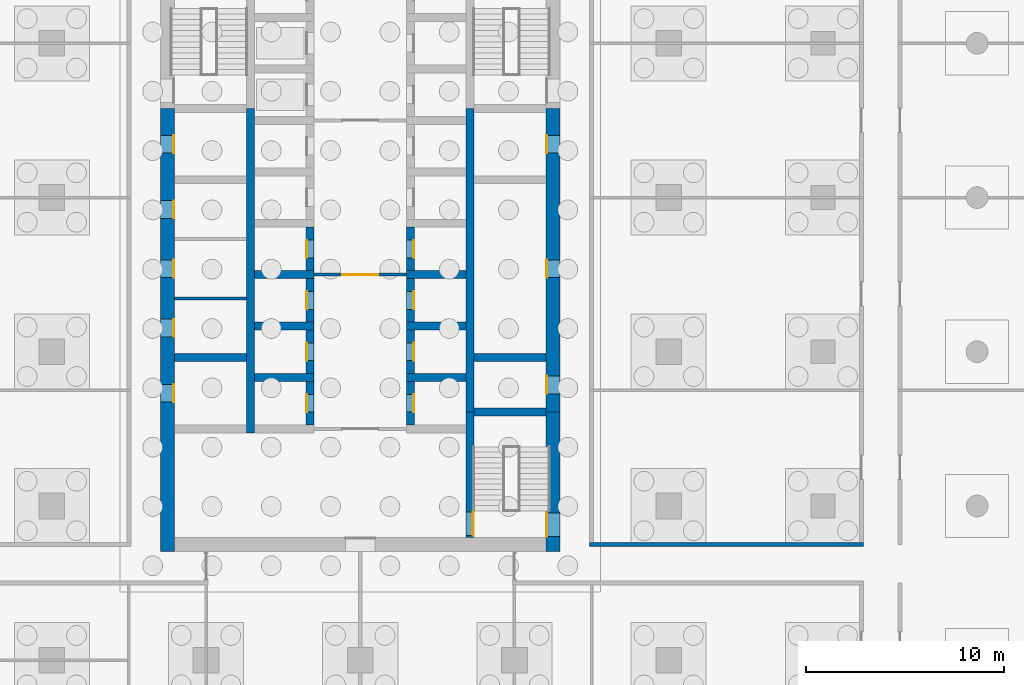
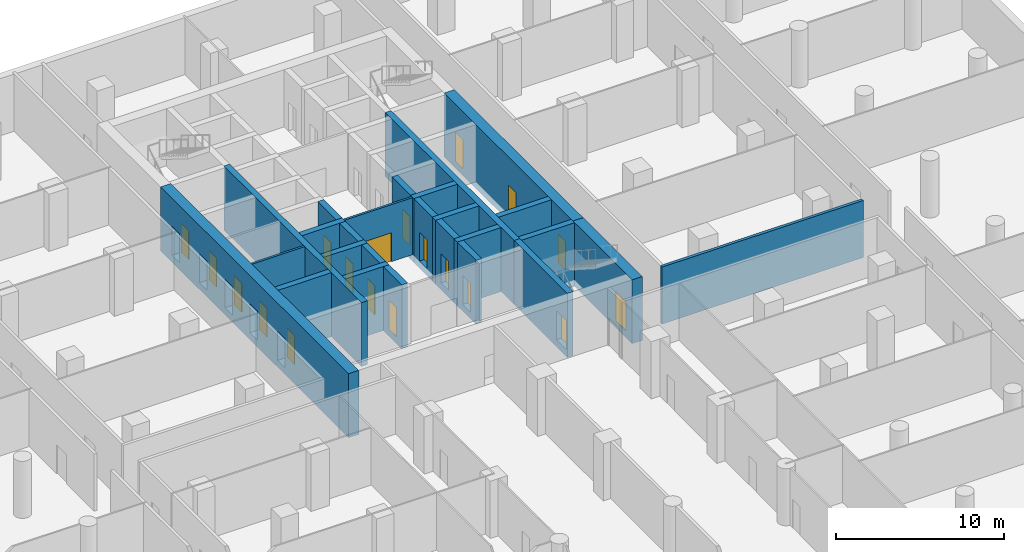
# One storey, part 7 of 16: 26 walls, 19 doors, 19 openings.
"""IFC4 building model written with IfcOpenShell, lengths in metres."""

from ifc_helpers import new_model, si_unit, direction, frame, frame_2d, origin, place, context, subcontext, project, spatial, rectangle, extrude, material, layer, layer_set, type_object, element, fill, save


model = new_model("IFC4")

# Units and contexts
model_context = context("Model", 3, precision=1e-05, world=origin(), true_north=direction((0.0, 1.0)))
body_context = subcontext(model_context, "Body", "Model", "MODEL_VIEW")
ifc_project = project(units=[si_unit("LENGTHUNIT", "METRE"), si_unit("AREAUNIT", "SQUARE_METRE"), si_unit("VOLUMEUNIT", "CUBIC_METRE"), si_unit("PLANEANGLEUNIT", "RADIAN"), si_unit("MASSUNIT", "GRAM", prefix="KILO")], contexts=[model_context])

# Site, building, storey
site_placement = place(None, origin())
site = spatial("IfcSite", under=ifc_project, at=site_placement, CompositionType="ELEMENT")
building_placement = place(site_placement, origin())
building = spatial("IfcBuilding", under=site, at=building_placement, Name="Ludao Terraces", CompositionType="ELEMENT")
storey_placement = place(building_placement, frame((0.0, 0.0, -9.0)))
storey = spatial("IfcBuildingStorey", under=building, at=storey_placement, Name="B2", CompositionType="ELEMENT", Elevation=-9.0)

# Wall, openings, doors
ifc_material_1 = material(Name="Concrete C70", Category="concrete")
ifc_layer_1 = layer(ifc_material_1, 0.699951171875)
ifc_layer_set_1 = layer_set([ifc_layer_1], Name="Core wall 700 C70")
wall_type_1 = type_object("IfcWallType", Name="Core wall 700 C70", PredefinedType="SOLIDWALL", material=ifc_layer_set_1)
wall_1_placement = place(storey_placement, frame((75.25, 54.89990234375, -0.5), z_axis=(0.0, 0.0, 1.0), x_axis=(0.0, 1.0, 0.0)))
wall_1 = element("IfcWall", 1, at=wall_1_placement, inside=storey, type_object=wall_type_1, Name="Core wall B2 outer-W", PredefinedType="SOLIDWALL", context=body_context, shape_type="SweptSolid", body=[
    extrude(rectangle(XDim=22.400146484375, YDim=0.699951171875, at=frame_2d((11.2001953125, 0.0))), origin(), (0.0, 0.0, 1.0), 4.64990234375),
])
opening_1_placement = place(wall_1_placement, frame((7.550048828125, 0.0, 0.5)))
opening_1 = element("IfcOpeningElement", 2, at=opening_1_placement, cuts=wall_1, Name="Opening B2-035", PredefinedType="OPENING", context=body_context, shape_type="SweptSolid", body=[
    extrude(rectangle(XDim=0.89990234375, YDim=2.10009765625, at=frame_2d((0.449951171875, 1.050048828125))), frame((0.0, 0.35986328125, 0.0), z_axis=(0.0, -1.0, 0.0), x_axis=(1.0, 0.0, 0.0)), (0.0, 0.0, 1.0), 0.719970703125),
])
opening_2_placement = place(wall_1_placement, frame((10.85009765625, 0.0, 0.5)))
opening_2 = element("IfcOpeningElement", 3, at=opening_2_placement, cuts=wall_1, Name="Opening B2-039", PredefinedType="OPENING", context=body_context, shape_type="SweptSolid", body=[
    extrude(rectangle(XDim=0.89990234375, YDim=2.10009765625, at=frame_2d((0.449951171875, 1.050048828125))), frame((0.0, 0.35986328125, 0.0), z_axis=(0.0, -1.0, 0.0), x_axis=(1.0, 0.0, 0.0)), (0.0, 0.0, 1.0), 0.719970703125),
])
opening_3_placement = place(wall_1_placement, frame((13.85009765625, 0.0, 0.5)))
opening_3 = element("IfcOpeningElement", 4, at=opening_3_placement, cuts=wall_1, Name="Opening B2-047", PredefinedType="OPENING", context=body_context, shape_type="SweptSolid", body=[
    extrude(rectangle(XDim=0.89990234375, YDim=2.10009765625, at=frame_2d((0.449951171875, 1.050048828125))), frame((0.0, 0.35986328125, 0.0), z_axis=(0.0, -1.0, 0.0), x_axis=(1.0, 0.0, 0.0)), (0.0, 0.0, 1.0), 0.719970703125),
])
opening_4_placement = place(wall_1_placement, frame((16.85009765625, 0.0, 0.5)))
opening_4 = element("IfcOpeningElement", 5, at=opening_4_placement, cuts=wall_1, Name="Opening B2-051", PredefinedType="OPENING", context=body_context, shape_type="SweptSolid", body=[
    extrude(rectangle(XDim=0.89990234375, YDim=2.10009765625, at=frame_2d((0.449951171875, 1.050048828125))), frame((0.0, 0.35986328125, 0.0), z_axis=(0.0, -1.0, 0.0), x_axis=(1.0, 0.0, 0.0)), (0.0, 0.0, 1.0), 0.719970703125),
])
opening_5_placement = place(wall_1_placement, frame((20.14990234375, 0.0, 0.5)))
opening_5 = element("IfcOpeningElement", 6, at=opening_5_placement, cuts=wall_1, Name="Opening B2-056", PredefinedType="OPENING", context=body_context, shape_type="SweptSolid", body=[
    extrude(rectangle(XDim=0.89990234375, YDim=2.10009765625, at=frame_2d((0.449951171875, 1.050048828125))), frame((0.0, 0.35986328125, 0.0), z_axis=(0.0, -1.0, 0.0), x_axis=(1.0, 0.0, 0.0)), (0.0, 0.0, 1.0), 0.719970703125),
])
ifc_material_2 = material(Name="Steel Q235", Category="steel")
door_type_1 = type_object("IfcDoorType", Name="INT Riser door 900", OperationType="SINGLE_SWING_LEFT", PredefinedType="DOOR", material=ifc_material_2)
door_1_placement = place(opening_1_placement, origin())
door_1 = element("IfcDoor", 7, at=door_1_placement, inside=storey, type_object=door_type_1, Name="DOOR 035", OperationType="SINGLE_SWING_LEFT", OverallHeight=2.10009765625, OverallWidth=0.89990234375, PredefinedType="DOOR", context=body_context, shape_type="SweptSolid", body=[
    extrude(rectangle(XDim=0.89990234375, YDim=2.10009765625, at=frame_2d((0.449951171875, 1.050048828125))), frame((0.0, -0.28515625, 0.0), z_axis=(0.0, -1.0, 0.0), x_axis=(1.0, 0.0, 0.0)), (0.0, 0.0, 1.0), 0.050048828125),
])
fill(opening_1, door_1)
door_2_placement = place(opening_5_placement, origin())
door_2 = element("IfcDoor", 8, at=door_2_placement, inside=storey, type_object=door_type_1, Name="DOOR 056", OperationType="SINGLE_SWING_RIGHT", OverallHeight=2.10009765625, OverallWidth=0.89990234375, PredefinedType="DOOR", context=body_context, shape_type="SweptSolid", body=[
    extrude(rectangle(XDim=0.89990234375, YDim=2.10009765625, at=frame_2d((0.449951171875, 1.050048828125))), frame((0.0, -0.28515625, 0.0), z_axis=(0.0, -1.0, 0.0), x_axis=(1.0, 0.0, 0.0)), (0.0, 0.0, 1.0), 0.050048828125),
])
fill(opening_5, door_2)
ifc_material_3 = material(Name="Timber door leaf", Category="wood")
door_type_2 = type_object("IfcDoorType", Name="INT Room door 900", OperationType="SINGLE_SWING_LEFT", PredefinedType="DOOR", material=ifc_material_3)
door_3_placement = place(opening_2_placement, origin())
door_3 = element("IfcDoor", 9, at=door_3_placement, inside=storey, type_object=door_type_2, Name="DOOR 039", OperationType="SINGLE_SWING_RIGHT", OverallHeight=2.10009765625, OverallWidth=0.89990234375, PredefinedType="DOOR", context=body_context, shape_type="SweptSolid", body=[
    extrude(rectangle(XDim=0.89990234375, YDim=2.10009765625, at=frame_2d((0.449951171875, 1.050048828125))), frame((0.0, -0.28515625, 0.0), z_axis=(0.0, -1.0, 0.0), x_axis=(1.0, 0.0, 0.0)), (0.0, 0.0, 1.0), 0.050048828125),
])
fill(opening_2, door_3)
door_4_placement = place(opening_3_placement, origin())
door_4 = element("IfcDoor", 10, at=door_4_placement, inside=storey, type_object=door_type_2, Name="DOOR 047", OperationType="SINGLE_SWING_RIGHT", OverallHeight=2.10009765625, OverallWidth=0.89990234375, PredefinedType="DOOR", context=body_context, shape_type="SweptSolid", body=[
    extrude(rectangle(XDim=0.89990234375, YDim=2.10009765625, at=frame_2d((0.449951171875, 1.050048828125))), frame((0.0, -0.28515625, 0.0), z_axis=(0.0, -1.0, 0.0), x_axis=(1.0, 0.0, 0.0)), (0.0, 0.0, 1.0), 0.050048828125),
])
fill(opening_3, door_4)
door_5_placement = place(opening_4_placement, origin())
door_5 = element("IfcDoor", 11, at=door_5_placement, inside=storey, type_object=door_type_2, Name="DOOR 051", OperationType="SINGLE_SWING_LEFT", OverallHeight=2.10009765625, OverallWidth=0.89990234375, PredefinedType="DOOR", context=body_context, shape_type="SweptSolid", body=[
    extrude(rectangle(XDim=0.89990234375, YDim=2.10009765625, at=frame_2d((0.449951171875, 1.050048828125))), frame((0.0, -0.28515625, 0.0), z_axis=(0.0, -1.0, 0.0), x_axis=(1.0, 0.0, 0.0)), (0.0, 0.0, 1.0), 0.050048828125),
])
fill(opening_4, door_5)

# Wall, opening, door
wall_2_placement = place(storey_placement, frame((94.75, 54.89990234375, -0.5), z_axis=(0.0, 0.0, 1.0), x_axis=(0.0, 1.0, 0.0)))
wall_2 = element("IfcWall", 12, at=wall_2_placement, inside=storey, type_object=wall_type_1, Name="Core wall B2 outer-E-S3", PredefinedType="SOLIDWALL", context=body_context, shape_type="SweptSolid", body=[
    extrude(rectangle(XDim=7.050048828125, YDim=0.699951171875, at=frame_2d((3.52490234375, 0.0))), origin(), (0.0, 0.0, 1.0), 4.64990234375),
])
opening_6_placement = place(wall_2_placement, frame((0.75, 0.0, 0.5)))
opening_6 = element("IfcOpeningElement", 13, at=opening_6_placement, cuts=wall_2, Name="Opening B2-027", PredefinedType="OPENING", context=body_context, shape_type="SweptSolid", body=[
    extrude(rectangle(XDim=1.199951171875, YDim=2.10009765625, at=frame_2d((0.60009765625, 1.050048828125))), frame((0.0, 0.35986328125, 0.0), z_axis=(0.0, -1.0, 0.0), x_axis=(1.0, 0.0, 0.0)), (0.0, 0.0, 1.0), 0.719970703125),
])
door_type_3 = type_object("IfcDoorType", Name="INT Stair door 1200", OperationType="DOUBLE_DOOR_SINGLE_SWING", PredefinedType="DOOR", material=ifc_material_2)
door_6_placement = place(opening_6_placement, origin())
door_6 = element("IfcDoor", 14, at=door_6_placement, inside=storey, type_object=door_type_3, Name="DOOR 027", OperationType="DOUBLE_DOOR_SINGLE_SWING", OverallHeight=2.10009765625, OverallWidth=1.199951171875, PredefinedType="DOOR", context=body_context, shape_type="SweptSolid", body=[
    extrude(rectangle(XDim=1.199951171875, YDim=2.10009765625, at=frame_2d((0.60009765625, 1.050048828125))), frame((0.0, 0.3349609375, 0.0), z_axis=(0.0, -1.0, 0.0), x_axis=(1.0, 0.0, 0.0)), (0.0, 0.0, 1.0), 0.050048828125),
])
fill(opening_6, door_6)

# Wall, openings, doors
wall_3_placement = place(storey_placement, frame((94.75, 61.949951171875, -0.5), z_axis=(0.0, 0.0, 1.0), x_axis=(0.0, 1.0, 0.0)))
wall_3 = element("IfcWall", 15, at=wall_3_placement, inside=storey, type_object=wall_type_1, Name="Core wall B2 outer-E", PredefinedType="SOLIDWALL", context=body_context, shape_type="SweptSolid", body=[
    extrude(rectangle(XDim=15.35009765625, YDim=0.699951171875, at=frame_2d((7.675048828125, 0.0))), origin(), (0.0, 0.0, 1.0), 4.64990234375),
])
opening_7_placement = place(wall_3_placement, frame((0.925048828125, 0.0, 0.5)))
opening_7 = element("IfcOpeningElement", 16, at=opening_7_placement, cuts=wall_3, Name="Opening B2-036", PredefinedType="OPENING", context=body_context, shape_type="SweptSolid", body=[
    extrude(rectangle(XDim=0.89990234375, YDim=2.10009765625, at=frame_2d((0.449951171875, 1.050048828125))), frame((0.0, 0.35986328125, 0.0), z_axis=(0.0, -1.0, 0.0), x_axis=(1.0, 0.0, 0.0)), (0.0, 0.0, 1.0), 0.719970703125),
])
opening_8_placement = place(wall_3_placement, frame((6.800048828125, 0.0, 0.5)))
opening_8 = element("IfcOpeningElement", 17, at=opening_8_placement, cuts=wall_3, Name="Opening B2-048", PredefinedType="OPENING", context=body_context, shape_type="SweptSolid", body=[
    extrude(rectangle(XDim=0.89990234375, YDim=2.10009765625, at=frame_2d((0.449951171875, 1.050048828125))), frame((0.0, 0.35986328125, 0.0), z_axis=(0.0, -1.0, 0.0), x_axis=(1.0, 0.0, 0.0)), (0.0, 0.0, 1.0), 0.719970703125),
])
opening_9_placement = place(wall_3_placement, frame((13.10009765625, 0.0, 0.5)))
opening_9 = element("IfcOpeningElement", 18, at=opening_9_placement, cuts=wall_3, Name="Opening B2-057", PredefinedType="OPENING", context=body_context, shape_type="SweptSolid", body=[
    extrude(rectangle(XDim=0.89990234375, YDim=2.10009765625, at=frame_2d((0.449951171875, 1.050048828125))), frame((0.0, 0.35986328125, 0.0), z_axis=(0.0, -1.0, 0.0), x_axis=(1.0, 0.0, 0.0)), (0.0, 0.0, 1.0), 0.719970703125),
])
door_7_placement = place(opening_7_placement, origin())
door_7 = element("IfcDoor", 19, at=door_7_placement, inside=storey, type_object=door_type_1, Name="DOOR 036", OperationType="SINGLE_SWING_LEFT", OverallHeight=2.10009765625, OverallWidth=0.89990234375, PredefinedType="DOOR", context=body_context, shape_type="SweptSolid", body=[
    extrude(rectangle(XDim=0.89990234375, YDim=2.10009765625, at=frame_2d((0.449951171875, 1.050048828125))), frame((0.0, 0.3349609375, 0.0), z_axis=(0.0, -1.0, 0.0), x_axis=(1.0, 0.0, 0.0)), (0.0, 0.0, 1.0), 0.050048828125),
])
fill(opening_7, door_7)
door_8_placement = place(opening_9_placement, origin())
door_8 = element("IfcDoor", 20, at=door_8_placement, inside=storey, type_object=door_type_1, Name="DOOR 057", OperationType="SINGLE_SWING_LEFT", OverallHeight=2.10009765625, OverallWidth=0.89990234375, PredefinedType="DOOR", context=body_context, shape_type="SweptSolid", body=[
    extrude(rectangle(XDim=0.89990234375, YDim=2.10009765625, at=frame_2d((0.449951171875, 1.050048828125))), frame((0.0, 0.3349609375, 0.0), z_axis=(0.0, -1.0, 0.0), x_axis=(1.0, 0.0, 0.0)), (0.0, 0.0, 1.0), 0.050048828125),
])
fill(opening_9, door_8)
door_9_placement = place(opening_8_placement, origin())
door_9 = element("IfcDoor", 21, at=door_9_placement, inside=storey, type_object=door_type_2, Name="DOOR 048", OperationType="SINGLE_SWING_LEFT", OverallHeight=2.10009765625, OverallWidth=0.89990234375, PredefinedType="DOOR", context=body_context, shape_type="SweptSolid", body=[
    extrude(rectangle(XDim=0.89990234375, YDim=2.10009765625, at=frame_2d((0.449951171875, 1.050048828125))), frame((0.0, 0.3349609375, 0.0), z_axis=(0.0, -1.0, 0.0), x_axis=(1.0, 0.0, 0.0)), (0.0, 0.0, 1.0), 0.050048828125),
])
fill(opening_8, door_9)

# Wall
ifc_material_4 = material(Name="Fire-rated gypsum plasterboard", Category="gypsum")
ifc_layer_2 = layer(ifc_material_4, 0.012451171875, Category="gypsum")
ifc_material_5 = material(Name="Mineral wool")
ifc_layer_3 = layer(ifc_material_5, 0.10009765625, Name="insulation")
ifc_layer_4 = layer(ifc_material_2, 0.02490234375, Name="stud")
ifc_layer_5 = layer(ifc_material_4, 0.012451171875, Category="gypsum")
ifc_layer_set_2 = layer_set([ifc_layer_2, ifc_layer_3, ifc_layer_4, ifc_layer_5], Name="INT Core partition 150")
wall_type_2 = type_object("IfcWallType", Name="INT Core partition 150", PredefinedType="PARTITIONING", material=ifc_layer_set_2)
wall_4_placement = place(storey_placement, frame((75.60009765625, 67.699951171875, 0.0), z_axis=(0.0, 0.0, 1.0), x_axis=(1.0, 0.0, 0.0)))
element("IfcWall", 22, at=wall_4_placement, inside=storey, type_object=wall_type_2, Name="PW-B2-PW024", PredefinedType="PARTITIONING", context=body_context, shape_type="SweptSolid", body=[
    extrude(rectangle(XDim=3.64990234375, YDim=0.14990234375, at=frame_2d((1.824951171875, 0.0))), origin(), (0.0, 0.0, 1.0), 4.14990234375),
])

# Wall, opening, door
wall_5_placement = place(storey_placement, frame((82.650146484375, 68.89990234375, 0.0), z_axis=(0.0, 0.0, 1.0), x_axis=(1.0, 0.0, 0.0)))
wall_5 = element("IfcWall", 23, at=wall_5_placement, inside=storey, type_object=wall_type_2, Name="PW-B2-PW025", PredefinedType="PARTITIONING", context=body_context, shape_type="SweptSolid", body=[
    extrude(rectangle(XDim=4.699951171875, YDim=0.14990234375, at=frame_2d((2.35009765625, 0.0))), origin(), (0.0, 0.0, 1.0), 4.14990234375),
])
opening_10_placement = place(wall_5_placement, frame((1.449951171875, 0.0, 0.0)))
opening_10 = element("IfcOpeningElement", 24, at=opening_10_placement, cuts=wall_5, Name="Opening B2-046", PredefinedType="OPENING", context=body_context, shape_type="SweptSolid", body=[
    extrude(rectangle(XDim=1.800048828125, YDim=2.10009765625, at=frame_2d((0.89990234375, 1.050048828125))), frame((0.0, 0.0849609375, 0.0), z_axis=(0.0, -1.0, 0.0), x_axis=(1.0, 0.0, 0.0)), (0.0, 0.0, 1.0), 0.169921875),
])
door_type_4 = type_object("IfcDoorType", Name="INT Fire lobby door 1800", OperationType="DOUBLE_DOOR_SINGLE_SWING", PredefinedType="DOOR", material=ifc_material_2)
door_10_placement = place(opening_10_placement, origin())
door_10 = element("IfcDoor", 25, at=door_10_placement, inside=storey, type_object=door_type_4, Name="DOOR 046", OperationType="DOUBLE_DOOR_SINGLE_SWING", OverallHeight=2.10009765625, OverallWidth=1.800048828125, PredefinedType="DOOR", context=body_context, shape_type="SweptSolid", body=[
    extrude(rectangle(XDim=1.800048828125, YDim=2.10009765625, at=frame_2d((0.89990234375, 1.050048828125))), frame((0.0, 0.02490234375, 0.0), z_axis=(0.0, -1.0, 0.0), x_axis=(1.0, 0.0, 0.0)), (0.0, 0.0, 1.0), 0.050048828125),
])
fill(opening_10, door_10)

# Walls
ifc_material_6 = material(Name="Autoclaved aerated concrete block B06 A3.5", Category="concrete")
ifc_layer_6 = layer(ifc_material_6, 0.199951171875)
ifc_layer_set_3 = layer_set([ifc_layer_6], Name="INT Entrance wall 200")
wall_type_3 = type_object("IfcWallType", Name="INT Entrance wall 200", PredefinedType="PARTITIONING", material=ifc_layer_set_3)
wall_6_placement = place(storey_placement, frame((96.60009765625, 55.25, 0.0), z_axis=(0.0, 0.0, 1.0), x_axis=(1.0, 0.0, 0.0)))
element("IfcWall", 26, at=wall_6_placement, inside=storey, type_object=wall_type_3, Name="PW-B2-PW018", PredefinedType="PARTITIONING", context=body_context, shape_type="SweptSolid", body=[
    extrude(rectangle(XDim=13.85009765625, YDim=0.199951171875, at=frame_2d((6.925048828125, 0.0))), origin(), (0.0, 0.0, 1.0), 4.14990234375),
])
ifc_material_7 = material(Name="Concrete C60", Category="concrete")
ifc_layer_7 = layer(ifc_material_7, 0.39990234375)
ifc_layer_set_4 = layer_set([ifc_layer_7], Name="Shaft wall 400 C60")
wall_type_4 = type_object("IfcWallType", Name="Shaft wall 400 C60", PredefinedType="SOLIDWALL", material=ifc_layer_set_4)
wall_7_placement = place(storey_placement, frame((79.449951171875, 60.89990234375, -0.5), z_axis=(0.0, 0.0, 1.0), x_axis=(0.0, 1.0, 0.0)))
element("IfcWall", 27, at=wall_7_placement, inside=storey, type_object=wall_type_4, Name="Core wall B2 back-W", PredefinedType="SOLIDWALL", context=body_context, shape_type="SweptSolid", body=[
    extrude(rectangle(XDim=16.400146484375, YDim=0.39990234375, at=frame_2d((8.2001953125, 0.0))), origin(), (0.0, 0.0, 1.0), 4.64990234375),
])

# Wall, opening, door
wall_8_placement = place(storey_placement, frame((90.550048828125, 55.60009765625, -0.5), z_axis=(0.0, 0.0, 1.0), x_axis=(0.0, 1.0, 0.0)))
wall_8 = element("IfcWall", 28, at=wall_8_placement, inside=storey, type_object=wall_type_4, Name="Core wall B2 back-E-S3", PredefinedType="SOLIDWALL", context=body_context, shape_type="SweptSolid", body=[
    extrude(rectangle(XDim=6.349853515625, YDim=0.39990234375, at=frame_2d((3.1748046875, 0.0))), origin(), (0.0, 0.0, 1.0), 4.64990234375),
])
opening_11_placement = place(wall_8_placement, frame((0.10009765625, 0.0, 0.5)))
opening_11 = element("IfcOpeningElement", 29, at=opening_11_placement, cuts=wall_8, Name="Opening B2-026", PredefinedType="OPENING", context=body_context, shape_type="SweptSolid", body=[
    extrude(rectangle(XDim=1.199951171875, YDim=2.10009765625, at=frame_2d((0.60009765625, 1.050048828125))), frame((0.0, 0.2099609375, 0.0), z_axis=(0.0, -1.0, 0.0), x_axis=(1.0, 0.0, 0.0)), (0.0, 0.0, 1.0), 0.419921875),
])
door_11_placement = place(opening_11_placement, origin())
door_11 = element("IfcDoor", 30, at=door_11_placement, inside=storey, type_object=door_type_3, Name="DOOR 026", OperationType="DOUBLE_DOOR_SINGLE_SWING", OverallHeight=2.10009765625, OverallWidth=1.199951171875, PredefinedType="DOOR", context=body_context, shape_type="SweptSolid", body=[
    extrude(rectangle(XDim=1.199951171875, YDim=2.10009765625, at=frame_2d((0.60009765625, 1.050048828125))), frame((0.0, -0.134765625, 0.0), z_axis=(0.0, -1.0, 0.0), x_axis=(1.0, 0.0, 0.0)), (0.0, 0.0, 1.0), 0.050048828125),
])
fill(opening_11, door_11)

# Wall
wall_9_placement = place(storey_placement, frame((90.550048828125, 61.949951171875, -0.5), z_axis=(0.0, 0.0, 1.0), x_axis=(0.0, 1.0, 0.0)))
element("IfcWall", 31, at=wall_9_placement, inside=storey, type_object=wall_type_4, Name="Core wall B2 back-E", PredefinedType="SOLIDWALL", context=body_context, shape_type="SweptSolid", body=[
    extrude(rectangle(XDim=15.35009765625, YDim=0.39990234375, at=frame_2d((7.675048828125, 0.0))), origin(), (0.0, 0.0, 1.0), 4.64990234375),
])

# Wall, opening, door
wall_10_placement = place(storey_placement, frame((82.449951171875, 61.300048828125, -0.5), z_axis=(0.0, 0.0, 1.0), x_axis=(0.0, 1.0, 0.0)))
wall_10 = element("IfcWall", 32, at=wall_10_placement, inside=storey, type_object=wall_type_4, Name="Core wall B2 front-W1", PredefinedType="SOLIDWALL", context=body_context, shape_type="SweptSolid", body=[
    extrude(rectangle(XDim=2.199951171875, YDim=0.39990234375, at=frame_2d((1.10009765625, 0.0))), origin(), (0.0, 0.0, 1.0), 4.64990234375),
])
opening_12_placement = place(wall_10_placement, frame((0.64990234375, 0.0, 0.5)))
opening_12 = element("IfcOpeningElement", 33, at=opening_12_placement, cuts=wall_10, Name="Opening B2-033", PredefinedType="OPENING", context=body_context, shape_type="SweptSolid", body=[
    extrude(rectangle(XDim=0.89990234375, YDim=2.10009765625, at=frame_2d((0.449951171875, 1.050048828125))), frame((0.0, 0.2099609375, 0.0), z_axis=(0.0, -1.0, 0.0), x_axis=(1.0, 0.0, 0.0)), (0.0, 0.0, 1.0), 0.419921875),
])
door_12_placement = place(opening_12_placement, origin())
door_12 = element("IfcDoor", 34, at=door_12_placement, inside=storey, type_object=door_type_2, Name="DOOR 033", OperationType="SINGLE_SWING_RIGHT", OverallHeight=2.10009765625, OverallWidth=0.89990234375, PredefinedType="DOOR", context=body_context, shape_type="SweptSolid", body=[
    extrude(rectangle(XDim=0.89990234375, YDim=2.10009765625, at=frame_2d((0.449951171875, 1.050048828125))), frame((0.0, 0.18505859375, 0.0), z_axis=(0.0, -1.0, 0.0), x_axis=(1.0, 0.0, 0.0)), (0.0, 0.0, 1.0), 0.050048828125),
])
fill(opening_12, door_12)

# Wall
wall_11_placement = place(storey_placement, frame((79.64990234375, 63.699951171875, -0.5), z_axis=(0.0, 0.0, 1.0), x_axis=(1.0, 0.0, 0.0)))
element("IfcWall", 35, at=wall_11_placement, inside=storey, type_object=wall_type_4, Name="Core wall B2 div-W2", PredefinedType="SOLIDWALL", context=body_context, shape_type="SweptSolid", body=[
    extrude(rectangle(XDim=3.0, YDim=0.39990234375, at=frame_2d((1.5, 0.0))), origin(), (0.0, 0.0, 1.0), 4.64990234375),
])

# Wall, opening, door
wall_12_placement = place(storey_placement, frame((82.449951171875, 63.89990234375, -0.5), z_axis=(0.0, 0.0, 1.0), x_axis=(0.0, 1.0, 0.0)))
wall_12 = element("IfcWall", 36, at=wall_12_placement, inside=storey, type_object=wall_type_4, Name="Core wall B2 front-W2", PredefinedType="SOLIDWALL", context=body_context, shape_type="SweptSolid", body=[
    extrude(rectangle(XDim=2.2001953125, YDim=0.39990234375, at=frame_2d((1.10009765625, 0.0))), origin(), (0.0, 0.0, 1.0), 4.64990234375),
])
opening_13_placement = place(wall_12_placement, frame((0.64990234375, 0.0, 0.5)))
opening_13 = element("IfcOpeningElement", 37, at=opening_13_placement, cuts=wall_12, Name="Opening B2-037", PredefinedType="OPENING", context=body_context, shape_type="SweptSolid", body=[
    extrude(rectangle(XDim=0.89990234375, YDim=2.10009765625, at=frame_2d((0.449951171875, 1.050048828125))), frame((0.0, 0.2099609375, 0.0), z_axis=(0.0, -1.0, 0.0), x_axis=(1.0, 0.0, 0.0)), (0.0, 0.0, 1.0), 0.419921875),
])
door_13_placement = place(opening_13_placement, origin())
door_13 = element("IfcDoor", 38, at=door_13_placement, inside=storey, type_object=door_type_2, Name="DOOR 037", OperationType="SINGLE_SWING_LEFT", OverallHeight=2.10009765625, OverallWidth=0.89990234375, PredefinedType="DOOR", context=body_context, shape_type="SweptSolid", body=[
    extrude(rectangle(XDim=0.89990234375, YDim=2.10009765625, at=frame_2d((0.449951171875, 1.050048828125))), frame((0.0, 0.18505859375, 0.0), z_axis=(0.0, -1.0, 0.0), x_axis=(1.0, 0.0, 0.0)), (0.0, 0.0, 1.0), 0.050048828125),
])
fill(opening_13, door_13)

# Wall
wall_13_placement = place(storey_placement, frame((79.64990234375, 66.300048828125, -0.5), z_axis=(0.0, 0.0, 1.0), x_axis=(1.0, 0.0, 0.0)))
element("IfcWall", 39, at=wall_13_placement, inside=storey, type_object=wall_type_4, Name="Core wall B2 div-W3", PredefinedType="SOLIDWALL", context=body_context, shape_type="SweptSolid", body=[
    extrude(rectangle(XDim=3.0, YDim=0.39990234375, at=frame_2d((1.5, 0.0))), origin(), (0.0, 0.0, 1.0), 4.64990234375),
])

# Wall, opening, door
wall_14_placement = place(storey_placement, frame((82.449951171875, 66.5, -0.5), z_axis=(0.0, 0.0, 1.0), x_axis=(0.0, 1.0, 0.0)))
wall_14 = element("IfcWall", 40, at=wall_14_placement, inside=storey, type_object=wall_type_4, Name="Core wall B2 front-W3", PredefinedType="SOLIDWALL", context=body_context, shape_type="SweptSolid", body=[
    extrude(rectangle(XDim=2.199951171875, YDim=0.39990234375, at=frame_2d((1.10009765625, 0.0))), origin(), (0.0, 0.0, 1.0), 4.64990234375),
])
opening_14_placement = place(wall_14_placement, frame((0.64990234375, 0.0, 0.5)))
opening_14 = element("IfcOpeningElement", 41, at=opening_14_placement, cuts=wall_14, Name="Opening B2-040", PredefinedType="OPENING", context=body_context, shape_type="SweptSolid", body=[
    extrude(rectangle(XDim=0.89990234375, YDim=2.10009765625, at=frame_2d((0.449951171875, 1.050048828125))), frame((0.0, 0.2099609375, 0.0), z_axis=(0.0, -1.0, 0.0), x_axis=(1.0, 0.0, 0.0)), (0.0, 0.0, 1.0), 0.419921875),
])
door_14_placement = place(opening_14_placement, origin())
door_14 = element("IfcDoor", 42, at=door_14_placement, inside=storey, type_object=door_type_2, Name="DOOR 040", OperationType="SINGLE_SWING_RIGHT", OverallHeight=2.10009765625, OverallWidth=0.89990234375, PredefinedType="DOOR", context=body_context, shape_type="SweptSolid", body=[
    extrude(rectangle(XDim=0.89990234375, YDim=2.10009765625, at=frame_2d((0.449951171875, 1.050048828125))), frame((0.0, 0.18505859375, 0.0), z_axis=(0.0, -1.0, 0.0), x_axis=(1.0, 0.0, 0.0)), (0.0, 0.0, 1.0), 0.050048828125),
])
fill(opening_14, door_14)

# Wall
wall_15_placement = place(storey_placement, frame((79.64990234375, 68.89990234375, -0.5), z_axis=(0.0, 0.0, 1.0), x_axis=(1.0, 0.0, 0.0)))
element("IfcWall", 43, at=wall_15_placement, inside=storey, type_object=wall_type_4, Name="Core wall B2 div-W4", PredefinedType="SOLIDWALL", context=body_context, shape_type="SweptSolid", body=[
    extrude(rectangle(XDim=3.0, YDim=0.39990234375, at=frame_2d((1.5, 0.0))), origin(), (0.0, 0.0, 1.0), 4.64990234375),
])

# Wall, opening, door
wall_16_placement = place(storey_placement, frame((82.449951171875, 69.10009765625, -0.5), z_axis=(0.0, 0.0, 1.0), x_axis=(0.0, 1.0, 0.0)))
wall_16 = element("IfcWall", 44, at=wall_16_placement, inside=storey, type_object=wall_type_4, Name="Core wall B2 front-W4", PredefinedType="SOLIDWALL", context=body_context, shape_type="SweptSolid", body=[
    extrude(rectangle(XDim=2.199951171875, YDim=0.39990234375, at=frame_2d((1.10009765625, 0.0))), origin(), (0.0, 0.0, 1.0), 4.64990234375),
])
opening_15_placement = place(wall_16_placement, frame((0.64990234375, 0.0, 0.5)))
opening_15 = element("IfcOpeningElement", 45, at=opening_15_placement, cuts=wall_16, Name="Opening B2-049", PredefinedType="OPENING", context=body_context, shape_type="SweptSolid", body=[
    extrude(rectangle(XDim=0.89990234375, YDim=2.10009765625, at=frame_2d((0.449951171875, 1.050048828125))), frame((0.0, 0.2099609375, 0.0), z_axis=(0.0, -1.0, 0.0), x_axis=(1.0, 0.0, 0.0)), (0.0, 0.0, 1.0), 0.419921875),
])
door_15_placement = place(opening_15_placement, origin())
door_15 = element("IfcDoor", 46, at=door_15_placement, inside=storey, type_object=door_type_2, Name="DOOR 049", OperationType="SINGLE_SWING_LEFT", OverallHeight=2.10009765625, OverallWidth=0.89990234375, PredefinedType="DOOR", context=body_context, shape_type="SweptSolid", body=[
    extrude(rectangle(XDim=0.89990234375, YDim=2.10009765625, at=frame_2d((0.449951171875, 1.050048828125))), frame((0.0, 0.18505859375, 0.0), z_axis=(0.0, -1.0, 0.0), x_axis=(1.0, 0.0, 0.0)), (0.0, 0.0, 1.0), 0.050048828125),
])
fill(opening_15, door_15)

wall_17_placement = place(storey_placement, frame((87.550048828125, 61.300048828125, -0.5), z_axis=(0.0, 0.0, 1.0), x_axis=(0.0, 1.0, 0.0)))
wall_17 = element("IfcWall", 47, at=wall_17_placement, inside=storey, type_object=wall_type_4, Name="Core wall B2 front-E1", PredefinedType="SOLIDWALL", context=body_context, shape_type="SweptSolid", body=[
    extrude(rectangle(XDim=2.199951171875, YDim=0.39990234375, at=frame_2d((1.10009765625, 0.0))), origin(), (0.0, 0.0, 1.0), 4.64990234375),
])
opening_16_placement = place(wall_17_placement, frame((0.64990234375, 0.0, 0.5)))
opening_16 = element("IfcOpeningElement", 48, at=opening_16_placement, cuts=wall_17, Name="Opening B2-034", PredefinedType="OPENING", context=body_context, shape_type="SweptSolid", body=[
    extrude(rectangle(XDim=0.89990234375, YDim=2.10009765625, at=frame_2d((0.449951171875, 1.050048828125))), frame((0.0, 0.2099609375, 0.0), z_axis=(0.0, -1.0, 0.0), x_axis=(1.0, 0.0, 0.0)), (0.0, 0.0, 1.0), 0.419921875),
])
door_16_placement = place(opening_16_placement, origin())
door_16 = element("IfcDoor", 49, at=door_16_placement, inside=storey, type_object=door_type_2, Name="DOOR 034", OperationType="SINGLE_SWING_LEFT", OverallHeight=2.10009765625, OverallWidth=0.89990234375, PredefinedType="DOOR", context=body_context, shape_type="SweptSolid", body=[
    extrude(rectangle(XDim=0.89990234375, YDim=2.10009765625, at=frame_2d((0.449951171875, 1.050048828125))), frame((0.0, -0.134765625, 0.0), z_axis=(0.0, -1.0, 0.0), x_axis=(1.0, 0.0, 0.0)), (0.0, 0.0, 1.0), 0.050048828125),
])
fill(opening_16, door_16)

# Wall
wall_18_placement = place(storey_placement, frame((87.35009765625, 63.699951171875, -0.5), z_axis=(0.0, 0.0, 1.0), x_axis=(1.0, 0.0, 0.0)))
element("IfcWall", 50, at=wall_18_placement, inside=storey, type_object=wall_type_4, Name="Core wall B2 div-E2", PredefinedType="SOLIDWALL", context=body_context, shape_type="SweptSolid", body=[
    extrude(rectangle(XDim=3.0, YDim=0.39990234375, at=frame_2d((1.5, 0.0))), origin(), (0.0, 0.0, 1.0), 4.64990234375),
])

# Wall, opening, door
wall_19_placement = place(storey_placement, frame((87.550048828125, 63.89990234375, -0.5), z_axis=(0.0, 0.0, 1.0), x_axis=(0.0, 1.0, 0.0)))
wall_19 = element("IfcWall", 51, at=wall_19_placement, inside=storey, type_object=wall_type_4, Name="Core wall B2 front-E2", PredefinedType="SOLIDWALL", context=body_context, shape_type="SweptSolid", body=[
    extrude(rectangle(XDim=2.2001953125, YDim=0.39990234375, at=frame_2d((1.10009765625, 0.0))), origin(), (0.0, 0.0, 1.0), 4.64990234375),
])
opening_17_placement = place(wall_19_placement, frame((0.64990234375, 0.0, 0.5)))
opening_17 = element("IfcOpeningElement", 52, at=opening_17_placement, cuts=wall_19, Name="Opening B2-038", PredefinedType="OPENING", context=body_context, shape_type="SweptSolid", body=[
    extrude(rectangle(XDim=0.89990234375, YDim=2.10009765625, at=frame_2d((0.449951171875, 1.050048828125))), frame((0.0, 0.2099609375, 0.0), z_axis=(0.0, -1.0, 0.0), x_axis=(1.0, 0.0, 0.0)), (0.0, 0.0, 1.0), 0.419921875),
])
door_17_placement = place(opening_17_placement, origin())
door_17 = element("IfcDoor", 53, at=door_17_placement, inside=storey, type_object=door_type_2, Name="DOOR 038", OperationType="SINGLE_SWING_RIGHT", OverallHeight=2.10009765625, OverallWidth=0.89990234375, PredefinedType="DOOR", context=body_context, shape_type="SweptSolid", body=[
    extrude(rectangle(XDim=0.89990234375, YDim=2.10009765625, at=frame_2d((0.449951171875, 1.050048828125))), frame((0.0, -0.134765625, 0.0), z_axis=(0.0, -1.0, 0.0), x_axis=(1.0, 0.0, 0.0)), (0.0, 0.0, 1.0), 0.050048828125),
])
fill(opening_17, door_17)

# Wall
wall_20_placement = place(storey_placement, frame((87.35009765625, 66.300048828125, -0.5), z_axis=(0.0, 0.0, 1.0), x_axis=(1.0, 0.0, 0.0)))
element("IfcWall", 54, at=wall_20_placement, inside=storey, type_object=wall_type_4, Name="Core wall B2 div-E3", PredefinedType="SOLIDWALL", context=body_context, shape_type="SweptSolid", body=[
    extrude(rectangle(XDim=3.0, YDim=0.39990234375, at=frame_2d((1.5, 0.0))), origin(), (0.0, 0.0, 1.0), 4.64990234375),
])

# Wall, opening, door
wall_21_placement = place(storey_placement, frame((87.550048828125, 66.5, -0.5), z_axis=(0.0, 0.0, 1.0), x_axis=(0.0, 1.0, 0.0)))
wall_21 = element("IfcWall", 55, at=wall_21_placement, inside=storey, type_object=wall_type_4, Name="Core wall B2 front-E3", PredefinedType="SOLIDWALL", context=body_context, shape_type="SweptSolid", body=[
    extrude(rectangle(XDim=2.199951171875, YDim=0.39990234375, at=frame_2d((1.10009765625, 0.0))), origin(), (0.0, 0.0, 1.0), 4.64990234375),
])
opening_18_placement = place(wall_21_placement, frame((0.64990234375, 0.0, 0.5)))
opening_18 = element("IfcOpeningElement", 56, at=opening_18_placement, cuts=wall_21, Name="Opening B2-041", PredefinedType="OPENING", context=body_context, shape_type="SweptSolid", body=[
    extrude(rectangle(XDim=0.89990234375, YDim=2.10009765625, at=frame_2d((0.449951171875, 1.050048828125))), frame((0.0, 0.2099609375, 0.0), z_axis=(0.0, -1.0, 0.0), x_axis=(1.0, 0.0, 0.0)), (0.0, 0.0, 1.0), 0.419921875),
])
door_18_placement = place(opening_18_placement, origin())
door_18 = element("IfcDoor", 57, at=door_18_placement, inside=storey, type_object=door_type_2, Name="DOOR 041", OperationType="SINGLE_SWING_LEFT", OverallHeight=2.10009765625, OverallWidth=0.89990234375, PredefinedType="DOOR", context=body_context, shape_type="SweptSolid", body=[
    extrude(rectangle(XDim=0.89990234375, YDim=2.10009765625, at=frame_2d((0.449951171875, 1.050048828125))), frame((0.0, -0.134765625, 0.0), z_axis=(0.0, -1.0, 0.0), x_axis=(1.0, 0.0, 0.0)), (0.0, 0.0, 1.0), 0.050048828125),
])
fill(opening_18, door_18)

# Wall
wall_22_placement = place(storey_placement, frame((87.35009765625, 68.89990234375, -0.5), z_axis=(0.0, 0.0, 1.0), x_axis=(1.0, 0.0, 0.0)))
element("IfcWall", 58, at=wall_22_placement, inside=storey, type_object=wall_type_4, Name="Core wall B2 div-E4", PredefinedType="SOLIDWALL", context=body_context, shape_type="SweptSolid", body=[
    extrude(rectangle(XDim=3.0, YDim=0.39990234375, at=frame_2d((1.5, 0.0))), origin(), (0.0, 0.0, 1.0), 4.64990234375),
])

# Wall, opening, door
wall_23_placement = place(storey_placement, frame((87.550048828125, 69.10009765625, -0.5), z_axis=(0.0, 0.0, 1.0), x_axis=(0.0, 1.0, 0.0)))
wall_23 = element("IfcWall", 59, at=wall_23_placement, inside=storey, type_object=wall_type_4, Name="Core wall B2 front-E4", PredefinedType="SOLIDWALL", context=body_context, shape_type="SweptSolid", body=[
    extrude(rectangle(XDim=2.199951171875, YDim=0.39990234375, at=frame_2d((1.10009765625, 0.0))), origin(), (0.0, 0.0, 1.0), 4.64990234375),
])
opening_19_placement = place(wall_23_placement, frame((0.64990234375, 0.0, 0.5)))
opening_19 = element("IfcOpeningElement", 60, at=opening_19_placement, cuts=wall_23, Name="Opening B2-050", PredefinedType="OPENING", context=body_context, shape_type="SweptSolid", body=[
    extrude(rectangle(XDim=0.89990234375, YDim=2.10009765625, at=frame_2d((0.449951171875, 1.050048828125))), frame((0.0, 0.2099609375, 0.0), z_axis=(0.0, -1.0, 0.0), x_axis=(1.0, 0.0, 0.0)), (0.0, 0.0, 1.0), 0.419921875),
])
door_19_placement = place(opening_19_placement, origin())
door_19 = element("IfcDoor", 61, at=door_19_placement, inside=storey, type_object=door_type_2, Name="DOOR 050", OperationType="SINGLE_SWING_RIGHT", OverallHeight=2.10009765625, OverallWidth=0.89990234375, PredefinedType="DOOR", context=body_context, shape_type="SweptSolid", body=[
    extrude(rectangle(XDim=0.89990234375, YDim=2.10009765625, at=frame_2d((0.449951171875, 1.050048828125))), frame((0.0, -0.134765625, 0.0), z_axis=(0.0, -1.0, 0.0), x_axis=(1.0, 0.0, 0.0)), (0.0, 0.0, 1.0), 0.050048828125),
])
fill(opening_19, door_19)

# Walls
for number, where, z_axis, x_axis, name in (
    (62, (75.60009765625, 64.699951171875, -0.5), (0.0, 0.0, 1.0), (1.0, 0.0, 0.0), "Core wall B2 riser-a-W"),
    (63, (90.75, 61.949951171875, -0.5), (0.0, 0.0, 1.0), (1.0, 0.0, 0.0), "Core wall B2 hall-E"),
    (64, (90.75, 64.699951171875, -0.5), (0.0, 0.0, 1.0), (1.0, 0.0, 0.0), "Core wall B2 riser-a-E"),
):
    element("IfcWall", number, at=place(storey_placement, frame(where, z_axis=z_axis, x_axis=x_axis)), inside=storey, type_object=wall_type_4, Name=name, PredefinedType="SOLIDWALL", context=body_context, shape_type="SweptSolid", body=[
        extrude(rectangle(XDim=3.64990234375, YDim=0.39990234375, at=frame_2d((1.824951171875, 0.0))), origin(), (0.0, 0.0, 1.0), 4.64990234375),
    ])

save(model, "model.ifc")
